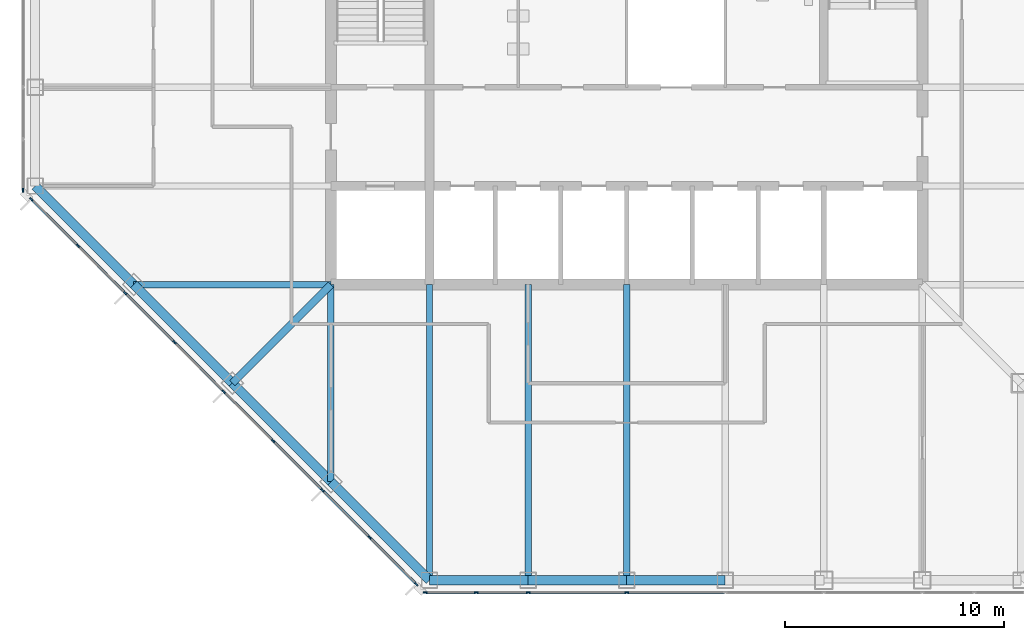
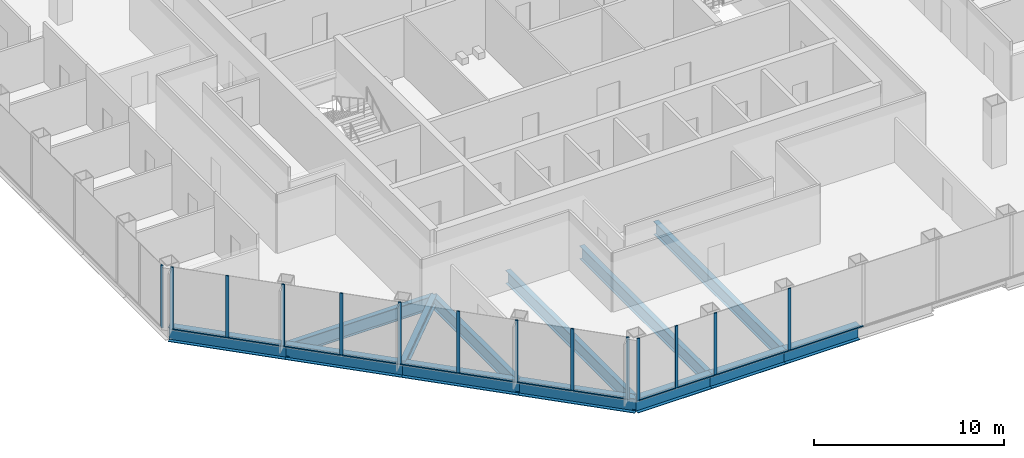
# One storey, part 2 of 13: 26 members, 13 beams, 3 elements without a shape of their own.
"""IFC4 building model written with IfcOpenShell, lengths in metres."""

from ifc_helpers import new_model, si_unit, direction, frame, origin, origin_2d, place, context, subcontext, project, spatial, rectangle, i_section, extrude, material, material_profile, profile_set, type_object, element, aggregate, save


model = new_model("IFC4")

# Units and contexts
model_context = context("Model", 3, precision=1e-05, world=origin(), true_north=direction((0.0, 1.0)))
body_context = subcontext(model_context, "Body", "Model", "MODEL_VIEW")
ifc_project = project(units=[si_unit("LENGTHUNIT", "METRE"), si_unit("AREAUNIT", "SQUARE_METRE"), si_unit("VOLUMEUNIT", "CUBIC_METRE"), si_unit("PLANEANGLEUNIT", "RADIAN"), si_unit("MASSUNIT", "GRAM", prefix="KILO")], contexts=[model_context])

# Site, building, storey
site_placement = place(None, origin())
site = spatial("IfcSite", under=ifc_project, at=site_placement, CompositionType="ELEMENT")
building_placement = place(site_placement, origin())
building = spatial("IfcBuilding", under=site, at=building_placement, Name="Corais Broadcast Tower", CompositionType="ELEMENT")
storey_placement = place(building_placement, frame((0.0, 0.0, 195.60009765625)))
storey = spatial("IfcBuildingStorey", under=building, at=storey_placement, Name="L45", CompositionType="ELEMENT", Elevation=195.60009765625)

# Beams
ifc_material_1 = material(Name="Steel ASTM A572 Grade 50", Category="steel")
ifc_material_profile_1 = material_profile(ifc_material_1, i_section(OverallWidth=0.323974609375, OverallDepth=0.611083984375, WebThickness=0.0126953125, FlangeThickness=0.01904296875, at=origin_2d()), Name="W610x155")
ifc_profile_set_1 = profile_set([ifc_material_profile_1], Name="Steel ASTM A572 Grade 50")
beam_type_1 = type_object("IfcBeamType", Name="Corner diagonal W610x155", PredefinedType="BEAM", material=ifc_profile_set_1)
beam_1_placement = place(storey_placement, frame((9.0, 9.0, -0.465576171875), z_axis=(0.707106781187, 0.707106781187, 0.0), x_axis=(-0.707106781187, 0.707106781187, 0.0)))
element("IfcBeam", 1, at=beam_1_placement, inside=storey, type_object=beam_type_1, Name="B6 C/5 to D/6", PredefinedType="BEAM", context=body_context, shape_type="SweptSolid", body=[
    extrude(i_section(OverallWidth=0.323974609375, OverallDepth=0.611083984375, WebThickness=0.0126953125, FlangeThickness=0.01904296875, at=origin_2d()), origin(), (0.0, 0.0, 1.0), 6.364013671875),
])
ifc_material_2 = material(Name="Steel ASTM A572 Grade 50", Category="steel")
ifc_material_profile_2 = material_profile(ifc_material_2, i_section(OverallWidth=0.2939453125, OverallDepth=0.85107421875, WebThickness=0.01611328125, FlangeThickness=0.02685546875, at=origin_2d()), Name="W840x226")
ifc_profile_set_2 = profile_set([ifc_material_profile_2], Name="Steel ASTM A572 Grade 50")
beam_type_2 = type_object("IfcBeamType", Name="Floor beam W840x226", PredefinedType="BEAM", material=ifc_profile_set_2)
beam_2_placement = place(storey_placement, frame((13.5, 4.5, -0.585693359375), z_axis=(0.0, 1.0, 0.0), x_axis=(-1.0, 0.0, 0.0)))
element("IfcBeam", 2, at=beam_2_placement, inside=storey, type_object=beam_type_2, Name="B1 B/6 to D/6", PredefinedType="BEAM", context=body_context, shape_type="SweptSolid", body=[
    extrude(i_section(OverallWidth=0.2939453125, OverallDepth=0.85107421875, WebThickness=0.01611328125, FlangeThickness=0.02685546875, at=origin_2d()), origin(), (0.0, 0.0, 1.0), 9.0),
])
for number, where, z_axis, x_axis, name in (
    (3, (18.0, 0.0, -0.585693359375), (0.0, 1.0, 0.0), (-1.0, 0.0, 0.0), "B1 A/7 to D/7"),
    (4, (22.5, 0.0, -0.585693359375), (0.0, 1.0, 0.0), (-1.0, 0.0, 0.0), "B1 A/8 to D/8"),
    (5, (27.0, 0.0, -0.585693359375), (0.0, 1.0, 0.0), (-1.0, 0.0, 0.0), "B1 A/9 to D/9"),
):
    element("IfcBeam", number, at=place(storey_placement, frame(where, z_axis=z_axis, x_axis=x_axis)), inside=storey, type_object=beam_type_2, Name=name, PredefinedType="BEAM", context=body_context, shape_type="SweptSolid", body=[
        extrude(i_section(OverallWidth=0.2939453125, OverallDepth=0.85107421875, WebThickness=0.01611328125, FlangeThickness=0.02685546875, at=origin_2d()), origin(), (0.0, 0.0, 1.0), 13.5),
    ])
beam_3_placement = place(storey_placement, frame((4.5, 13.5, -0.585693359375), z_axis=(1.0, 0.0, 0.0), x_axis=(0.0, 1.0, 0.0)))
element("IfcBeam", 6, at=beam_3_placement, inside=storey, type_object=beam_type_2, Name="B1 D/4 to D/6", PredefinedType="BEAM", context=body_context, shape_type="SweptSolid", body=[
    extrude(i_section(OverallWidth=0.2939453125, OverallDepth=0.85107421875, WebThickness=0.01611328125, FlangeThickness=0.02685546875, at=origin_2d()), origin(), (0.0, 0.0, 1.0), 9.0),
])

# Curtain wall, members
ifc_material_3 = material(Name="Aluminium and glass", Category="aluminium")
curtain_wall_type = type_object("IfcCurtainWallType", Name="Unitised fritted curtain wall CW2", PredefinedType="NOTDEFINED", material=ifc_material_3)
curtain_wall_1_placement = place(storey_placement, origin())
curtain_wall_1 = element("IfcCurtainWall", 7, at=curtain_wall_1_placement, inside=storey, type_object=curtain_wall_type, Name="CW2 curtain wall L45 1", PredefinedType="NOTDEFINED")
ifc_material_4 = material(Name="Aluminium 6063-T6", Category="aluminium")
ifc_material_profile_3 = material_profile(ifc_material_4, rectangle(XDim=0.06494140625, YDim=0.179931640625, at=origin_2d()), Name="Mullion CW2 65x180")
ifc_profile_set_3 = profile_set([ifc_material_profile_3], Name="Aluminium 6063-T6")
member_type_1 = type_object("IfcMemberType", Name="Mullion CW2 65x180", PredefinedType="MULLION", material=ifc_profile_set_3)
member_1_placement = place(storey_placement, frame((17.3955078125, -0.17333984375, 0.0), z_axis=(0.0, 0.0, 1.0), x_axis=(-0.707106781187, -0.707106781187, 0.0)))
member_1 = element("IfcMember", 8, at=member_1_placement, type_object=member_type_1, Name="CW2 mullion 1", PredefinedType="MULLION", context=body_context, shape_type="SweptSolid", body=[
    extrude(rectangle(XDim=0.06494140625, YDim=0.179931640625, at=origin_2d()), origin(), (0.0, 0.0, 1.0), 4.0),
])
member_2_placement = place(storey_placement, frame((15.264892578125, 1.957275390625, 0.0), z_axis=(0.0, 0.0, 1.0), x_axis=(-0.707106781187, -0.707106781187, 0.0)))
member_2 = element("IfcMember", 9, at=member_2_placement, type_object=member_type_1, Name="CW2 mullion 2", PredefinedType="MULLION", context=body_context, shape_type="SweptSolid", body=[
    extrude(rectangle(XDim=0.06494140625, YDim=0.179931640625, at=origin_2d()), origin(), (0.0, 0.0, 1.0), 4.0),
])
member_3_placement = place(storey_placement, frame((13.111083984375, 4.111083984375, 0.0), z_axis=(0.0, 0.0, 1.0), x_axis=(-0.707106781187, -0.707106781187, 0.0)))
member_3 = element("IfcMember", 10, at=member_3_placement, type_object=member_type_1, Name="CW2 mullion 3", PredefinedType="MULLION", context=body_context, shape_type="SweptSolid", body=[
    extrude(rectangle(XDim=0.06494140625, YDim=0.179931640625, at=origin_2d()), origin(), (0.0, 0.0, 1.0), 4.0),
])
member_4_placement = place(storey_placement, frame((10.861083984375, 6.361083984375, 0.0), z_axis=(0.0, 0.0, 1.0), x_axis=(-0.707106781187, -0.707106781187, 0.0)))
member_4 = element("IfcMember", 11, at=member_4_placement, type_object=member_type_1, Name="CW2 mullion 4", PredefinedType="MULLION", context=body_context, shape_type="SweptSolid", body=[
    extrude(rectangle(XDim=0.06494140625, YDim=0.179931640625, at=origin_2d()), origin(), (0.0, 0.0, 1.0), 4.0),
])
member_5_placement = place(storey_placement, frame((8.611083984375, 8.611083984375, 0.0), z_axis=(0.0, 0.0, 1.0), x_axis=(-0.707106781187, -0.707106781187, 0.0)))
member_5 = element("IfcMember", 12, at=member_5_placement, type_object=member_type_1, Name="CW2 mullion 5", PredefinedType="MULLION", context=body_context, shape_type="SweptSolid", body=[
    extrude(rectangle(XDim=0.06494140625, YDim=0.179931640625, at=origin_2d()), origin(), (0.0, 0.0, 1.0), 4.0),
])
member_6_placement = place(storey_placement, frame((6.361083984375, 10.861083984375, 0.0), z_axis=(0.0, 0.0, 1.0), x_axis=(-0.707106781187, -0.707106781187, 0.0)))
member_6 = element("IfcMember", 13, at=member_6_placement, type_object=member_type_1, Name="CW2 mullion 6", PredefinedType="MULLION", context=body_context, shape_type="SweptSolid", body=[
    extrude(rectangle(XDim=0.06494140625, YDim=0.179931640625, at=origin_2d()), origin(), (0.0, 0.0, 1.0), 4.0),
])
member_7_placement = place(storey_placement, frame((4.111083984375, 13.111083984375, 0.0), z_axis=(0.0, 0.0, 1.0), x_axis=(-0.707106781187, -0.707106781187, 0.0)))
member_7 = element("IfcMember", 14, at=member_7_placement, type_object=member_type_1, Name="CW2 mullion 7", PredefinedType="MULLION", context=body_context, shape_type="SweptSolid", body=[
    extrude(rectangle(XDim=0.06494140625, YDim=0.179931640625, at=origin_2d()), origin(), (0.0, 0.0, 1.0), 4.0),
])
member_8_placement = place(storey_placement, frame((1.957275390625, 15.264892578125, 0.0), z_axis=(0.0, 0.0, 1.0), x_axis=(-0.707106781187, -0.707106781187, 0.0)))
member_8 = element("IfcMember", 15, at=member_8_placement, type_object=member_type_1, Name="CW2 mullion 8", PredefinedType="MULLION", context=body_context, shape_type="SweptSolid", body=[
    extrude(rectangle(XDim=0.06494140625, YDim=0.179931640625, at=origin_2d()), origin(), (0.0, 0.0, 1.0), 4.0),
])
member_9_placement = place(storey_placement, frame((-0.17333984375, 17.3955078125, 0.0), z_axis=(0.0, 0.0, 1.0), x_axis=(-0.707106781187, -0.707106781187, 0.0)))
member_9 = element("IfcMember", 16, at=member_9_placement, type_object=member_type_1, Name="CW2 mullion 9", PredefinedType="MULLION", context=body_context, shape_type="SweptSolid", body=[
    extrude(rectangle(XDim=0.06494140625, YDim=0.179931640625, at=origin_2d()), origin(), (0.0, 0.0, 1.0), 4.0),
])

# Curtain wall, member
curtain_wall_2_placement = place(storey_placement, origin())
curtain_wall_2 = element("IfcCurtainWall", 17, at=curtain_wall_2_placement, inside=storey, type_object=curtain_wall_type, Name="CW2 curtain wall L45 2", PredefinedType="NOTDEFINED")
member_10_placement = place(storey_placement, frame((-0.550048828125, 17.8046875, 0.0), z_axis=(0.0, 0.0, 1.0), x_axis=(-1.0, 0.0, 0.0)))
member_10 = element("IfcMember", 18, at=member_10_placement, type_object=member_type_1, Name="CW2 mullion 1", PredefinedType="MULLION", context=body_context, shape_type="SweptSolid", body=[
    extrude(rectangle(XDim=0.06494140625, YDim=0.179931640625, at=origin_2d()), origin(), (0.0, 0.0, 1.0), 4.0),
])
aggregate(curtain_wall_2, [member_10])

# Curtain wall, members
curtain_wall_3_placement = place(storey_placement, origin())
curtain_wall_3 = element("IfcCurtainWall", 19, at=curtain_wall_3_placement, inside=storey, type_object=curtain_wall_type, Name="CW2 curtain wall L45 8", PredefinedType="NOTDEFINED")
member_11_placement = place(storey_placement, frame((27.0, -0.550048828125, 0.0), z_axis=(0.0, 0.0, 1.0), x_axis=(0.0, -1.0, 0.0)))
member_11 = element("IfcMember", 20, at=member_11_placement, type_object=member_type_1, Name="CW2 mullion 6", PredefinedType="MULLION", context=body_context, shape_type="SweptSolid", body=[
    extrude(rectangle(XDim=0.06494140625, YDim=0.179931640625, at=origin_2d()), origin(), (0.0, 0.0, 1.0), 4.0),
])
member_12_placement = place(storey_placement, frame((22.5, -0.550048828125, 0.0), z_axis=(0.0, 0.0, 1.0), x_axis=(0.0, -1.0, 0.0)))
member_12 = element("IfcMember", 21, at=member_12_placement, type_object=member_type_1, Name="CW2 mullion 7", PredefinedType="MULLION", context=body_context, shape_type="SweptSolid", body=[
    extrude(rectangle(XDim=0.06494140625, YDim=0.179931640625, at=origin_2d()), origin(), (0.0, 0.0, 1.0), 4.0),
])
member_13_placement = place(storey_placement, frame((20.135986328125, -0.550048828125, 0.0), z_axis=(0.0, 0.0, 1.0), x_axis=(0.0, -1.0, 0.0)))
member_13 = element("IfcMember", 22, at=member_13_placement, type_object=member_type_1, Name="CW2 mullion 8", PredefinedType="MULLION", context=body_context, shape_type="SweptSolid", body=[
    extrude(rectangle(XDim=0.06494140625, YDim=0.179931640625, at=origin_2d()), origin(), (0.0, 0.0, 1.0), 4.0),
])
member_14_placement = place(storey_placement, frame((17.8046875, -0.550048828125, 0.0), z_axis=(0.0, 0.0, 1.0), x_axis=(0.0, -1.0, 0.0)))
member_14 = element("IfcMember", 23, at=member_14_placement, type_object=member_type_1, Name="CW2 mullion 9", PredefinedType="MULLION", context=body_context, shape_type="SweptSolid", body=[
    extrude(rectangle(XDim=0.06494140625, YDim=0.179931640625, at=origin_2d()), origin(), (0.0, 0.0, 1.0), 4.0),
])

# Beams
ifc_material_5 = material(Name="Steel ASTM A572 Grade 50", Category="steel")
ifc_material_profile_4 = material_profile(ifc_material_5, i_section(OverallWidth=0.4189453125, OverallDepth=0.94189453125, WebThickness=0.022216796875, FlangeThickness=0.03662109375, at=origin_2d()), Name="W920x345")
ifc_profile_set_4 = profile_set([ifc_material_profile_4], Name="Steel ASTM A572 Grade 50")
beam_type_3 = type_object("IfcBeamType", Name="Transfer spandrel W920x345", PredefinedType="BEAM", material=ifc_profile_set_4)
for number, where, z_axis, x_axis, name in (
    (24, (0.0, 18.0, -0.631103515625), (0.707106781187, -0.707106781187, 0.0), (0.707106781187, 0.707106781187, 0.0), "SB4 E/3 to D/4"),
    (25, (13.5, 4.5, -0.631103515625), (0.707106781187, -0.707106781187, 0.0), (0.707106781187, 0.707106781187, 0.0), "SB4 B/6 to A/7"),
):
    element("IfcBeam", number, at=place(storey_placement, frame(where, z_axis=z_axis, x_axis=x_axis)), inside=storey, type_object=beam_type_3, Name=name, PredefinedType="BEAM", context=body_context, shape_type="SweptSolid", body=[
        extrude(i_section(OverallWidth=0.4189453125, OverallDepth=0.94189453125, WebThickness=0.022216796875, FlangeThickness=0.03662109375, at=origin_2d()), origin(), (0.0, 0.0, 1.0), 6.364013671875),
    ])
for number, where, z_axis, x_axis, name in (
    (26, (18.0, 0.0, -0.631103515625), (1.0, 0.0, 0.0), (0.0, 1.0, 0.0), "SB4 A/7 to A/8"),
    (27, (22.5, 0.0, -0.631103515625), (1.0, 0.0, 0.0), (0.0, 1.0, 0.0), "SB4 A/8 to A/9"),
    (28, (27.0, 0.0, -0.631103515625), (1.0, 0.0, 0.0), (0.0, 1.0, 0.0), "SB4 A/9 to A/10"),
):
    element("IfcBeam", number, at=place(storey_placement, frame(where, z_axis=z_axis, x_axis=x_axis)), inside=storey, type_object=beam_type_3, Name=name, PredefinedType="BEAM", context=body_context, shape_type="SweptSolid", body=[
        extrude(i_section(OverallWidth=0.4189453125, OverallDepth=0.94189453125, WebThickness=0.022216796875, FlangeThickness=0.03662109375, at=origin_2d()), origin(), (0.0, 0.0, 1.0), 4.5),
    ])
for number, where, z_axis, x_axis, name in (
    (29, (4.5, 13.5, -0.631103515625), (0.707106781187, -0.707106781187, 0.0), (0.707106781187, 0.707106781187, 0.0), "SB4 D/4 to C/5"),
    (30, (9.0, 9.0, -0.631103515625), (0.707106781187, -0.707106781187, 0.0), (0.707106781187, 0.707106781187, 0.0), "SB4 C/5 to B/6"),
):
    element("IfcBeam", number, at=place(storey_placement, frame(where, z_axis=z_axis, x_axis=x_axis)), inside=storey, type_object=beam_type_3, Name=name, PredefinedType="BEAM", context=body_context, shape_type="SweptSolid", body=[
        extrude(i_section(OverallWidth=0.4189453125, OverallDepth=0.94189453125, WebThickness=0.022216796875, FlangeThickness=0.03662109375, at=origin_2d()), origin(), (0.0, 0.0, 1.0), 6.364013671875),
    ])

# Member
ifc_material_6 = material(Name="Aluminium 6063-T6", Category="aluminium")
ifc_material_profile_5 = material_profile(ifc_material_6, rectangle(XDim=0.1298828125, YDim=0.06494140625, at=origin_2d()), Name="Transom CW2 65x130")
ifc_profile_set_5 = profile_set([ifc_material_profile_5], Name="Aluminium 6063-T6")
member_type_2 = type_object("IfcMemberType", Name="Transom CW2 65x130", PredefinedType="USERDEFINED", material=ifc_profile_set_5)
member_15_placement = place(storey_placement, frame((17.37255859375, -0.150390625, 0.032470703125), z_axis=(-0.707106781187, 0.707106781187, 0.0), x_axis=(-0.707106781187, -0.707106781187, 0.0)))
member_15 = element("IfcMember", 31, at=member_15_placement, type_object=member_type_2, Name="CW2 transom 1.1", ObjectType="TRANSOM", PredefinedType="USERDEFINED", context=body_context, shape_type="SweptSolid", body=[
    extrude(rectangle(XDim=0.1298828125, YDim=0.06494140625, at=origin_2d()), origin(), (0.0, 0.0, 1.0), 2.9482421875),
])

member_16_placement = place(storey_placement, frame((15.241943359375, 1.980224609375, 0.032470703125), z_axis=(-0.707106781187, 0.707106781187, 0.0), x_axis=(-0.707106781187, -0.707106781187, 0.0)))
member_16 = element("IfcMember", 32, at=member_16_placement, type_object=member_type_2, Name="CW2 transom 2.1", ObjectType="TRANSOM", PredefinedType="USERDEFINED", context=body_context, shape_type="SweptSolid", body=[
    extrude(rectangle(XDim=0.1298828125, YDim=0.06494140625, at=origin_2d()), origin(), (0.0, 0.0, 1.0), 2.98095703125),
])

member_17_placement = place(storey_placement, frame((13.088134765625, 4.134033203125, 0.032470703125), z_axis=(-0.707106781187, 0.707106781187, 0.0), x_axis=(-0.707106781187, -0.707106781187, 0.0)))
member_17 = element("IfcMember", 33, at=member_17_placement, type_object=member_type_2, Name="CW2 transom 3.1", ObjectType="TRANSOM", PredefinedType="USERDEFINED", context=body_context, shape_type="SweptSolid", body=[
    extrude(rectangle(XDim=0.1298828125, YDim=0.06494140625, at=origin_2d()), origin(), (0.0, 0.0, 1.0), 3.1171875),
])

member_18_placement = place(storey_placement, frame((10.838134765625, 6.384033203125, 0.032470703125), z_axis=(-0.707106781187, 0.707106781187, 0.0), x_axis=(-0.707106781187, -0.707106781187, 0.0)))
member_18 = element("IfcMember", 34, at=member_18_placement, type_object=member_type_2, Name="CW2 transom 4.1", ObjectType="TRANSOM", PredefinedType="USERDEFINED", context=body_context, shape_type="SweptSolid", body=[
    extrude(rectangle(XDim=0.1298828125, YDim=0.06494140625, at=origin_2d()), origin(), (0.0, 0.0, 1.0), 3.1171875),
])

member_19_placement = place(storey_placement, frame((8.588134765625, 8.634033203125, 0.032470703125), z_axis=(-0.707106781187, 0.707106781187, 0.0), x_axis=(-0.707106781187, -0.707106781187, 0.0)))
member_19 = element("IfcMember", 35, at=member_19_placement, type_object=member_type_2, Name="CW2 transom 5.1", ObjectType="TRANSOM", PredefinedType="USERDEFINED", context=body_context, shape_type="SweptSolid", body=[
    extrude(rectangle(XDim=0.1298828125, YDim=0.06494140625, at=origin_2d()), origin(), (0.0, 0.0, 1.0), 3.1171875),
])

member_20_placement = place(storey_placement, frame((6.338134765625, 10.884033203125, 0.032470703125), z_axis=(-0.707106781187, 0.707106781187, 0.0), x_axis=(-0.707106781187, -0.707106781187, 0.0)))
member_20 = element("IfcMember", 36, at=member_20_placement, type_object=member_type_2, Name="CW2 transom 6.1", ObjectType="TRANSOM", PredefinedType="USERDEFINED", context=body_context, shape_type="SweptSolid", body=[
    extrude(rectangle(XDim=0.1298828125, YDim=0.06494140625, at=origin_2d()), origin(), (0.0, 0.0, 1.0), 3.1171875),
])

member_21_placement = place(storey_placement, frame((4.088134765625, 13.134033203125, 0.032470703125), z_axis=(-0.707065828661, 0.70714773134, 0.0), x_axis=(-0.70714773134, -0.707065828661, 0.0)))
member_21 = element("IfcMember", 37, at=member_21_placement, type_object=member_type_2, Name="CW2 transom 7.1", ObjectType="TRANSOM", PredefinedType="USERDEFINED", context=body_context, shape_type="SweptSolid", body=[
    extrude(rectangle(XDim=0.1298828125, YDim=0.06494140625, at=origin_2d()), origin(), (0.0, 0.0, 1.0), 2.98095703125),
])

member_22_placement = place(storey_placement, frame((1.934326171875, 15.287841796875, 0.032470703125), z_axis=(-0.707106781187, 0.707106781187, 0.0), x_axis=(-0.707106781187, -0.707106781187, 0.0)))
member_22 = element("IfcMember", 38, at=member_22_placement, type_object=member_type_2, Name="CW2 transom 8.1", ObjectType="TRANSOM", PredefinedType="USERDEFINED", context=body_context, shape_type="SweptSolid", body=[
    extrude(rectangle(XDim=0.1298828125, YDim=0.06494140625, at=origin_2d()), origin(), (0.0, 0.0, 1.0), 2.9482421875),
])

aggregate(curtain_wall_1, [member_1, member_2, member_3, member_4, member_5, member_6, member_7, member_8, member_9, member_15, member_16, member_17, member_18, member_19, member_20, member_21, member_22])

member_23_placement = place(storey_placement, frame((31.467529296875, -0.550048828125, 0.032470703125), z_axis=(-1.0, 0.0, 0.0), x_axis=(0.0, -1.0, 0.0)))
member_23 = element("IfcMember", 39, at=member_23_placement, type_object=member_type_2, Name="CW2 transom 5.1", ObjectType="TRANSOM", PredefinedType="USERDEFINED", context=body_context, shape_type="SweptSolid", body=[
    extrude(rectangle(XDim=0.1298828125, YDim=0.06494140625, at=origin_2d()), origin(), (0.0, 0.0, 1.0), 4.43505859375),
])

member_24_placement = place(storey_placement, frame((26.967529296875, -0.550048828125, 0.032470703125), z_axis=(-1.0, 0.0, 0.0), x_axis=(0.0, -1.0, 0.0)))
member_24 = element("IfcMember", 40, at=member_24_placement, type_object=member_type_2, Name="CW2 transom 6.1", ObjectType="TRANSOM", PredefinedType="USERDEFINED", context=body_context, shape_type="SweptSolid", body=[
    extrude(rectangle(XDim=0.1298828125, YDim=0.06494140625, at=origin_2d()), origin(), (0.0, 0.0, 1.0), 4.43505859375),
])

member_25_placement = place(storey_placement, frame((22.467529296875, -0.550048828125, 0.032470703125), z_axis=(-1.0, 0.0, 0.0), x_axis=(0.0, -1.0, 0.0)))
member_25 = element("IfcMember", 41, at=member_25_placement, type_object=member_type_2, Name="CW2 transom 7.1", ObjectType="TRANSOM", PredefinedType="USERDEFINED", context=body_context, shape_type="SweptSolid", body=[
    extrude(rectangle(XDim=0.1298828125, YDim=0.06494140625, at=origin_2d()), origin(), (0.0, 0.0, 1.0), 2.298828125),
])

member_26_placement = place(storey_placement, frame((20.103515625, -0.550048828125, 0.032470703125), z_axis=(-1.0, 0.0, 0.0), x_axis=(0.0, -1.0, 0.0)))
member_26 = element("IfcMember", 42, at=member_26_placement, type_object=member_type_2, Name="CW2 transom 8.1", ObjectType="TRANSOM", PredefinedType="USERDEFINED", context=body_context, shape_type="SweptSolid", body=[
    extrude(rectangle(XDim=0.1298828125, YDim=0.06494140625, at=origin_2d()), origin(), (0.0, 0.0, 1.0), 2.266357421875),
])

aggregate(curtain_wall_3, [member_11, member_12, member_13, member_14, member_23, member_24, member_25, member_26])

save(model, "model.ifc")
